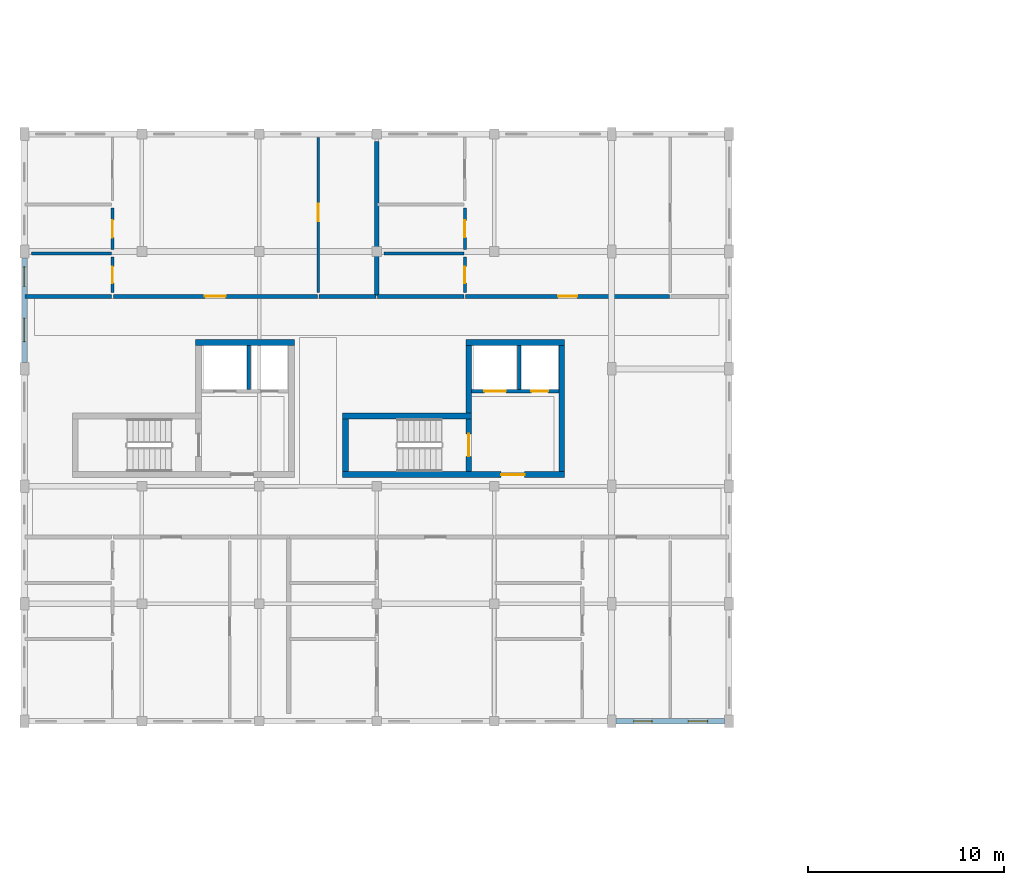
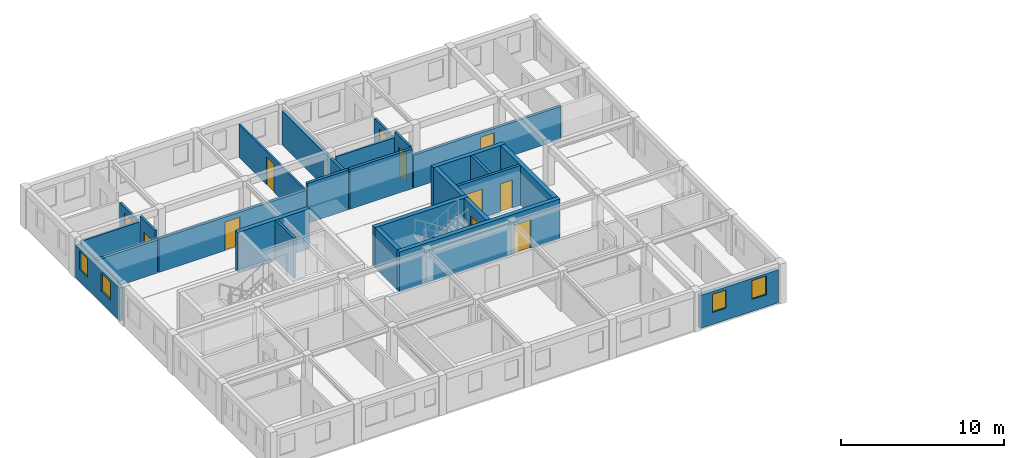
# One storey, part 5 of 17: 26 walls, 11 doors, 4 windows, 15 openings.
"""IFC4 building model written with IfcOpenShell, lengths in metres."""

from ifc_helpers import new_model, si_unit, direction, frame, frame_2d, origin, place, context, subcontext, project, spatial, rectangle, extrude, material, layer, layer_set, type_object, element, fill, save


model = new_model("IFC4")

# Units and contexts
model_context = context("Model", 3, precision=1e-05, world=origin(), true_north=direction((0.0, 1.0)))
body_context = subcontext(model_context, "Body", "Model", "MODEL_VIEW")
ifc_project = project(units=[si_unit("LENGTHUNIT", "METRE"), si_unit("AREAUNIT", "SQUARE_METRE"), si_unit("VOLUMEUNIT", "CUBIC_METRE"), si_unit("PLANEANGLEUNIT", "RADIAN"), si_unit("MASSUNIT", "GRAM", prefix="KILO"), si_unit("POWERUNIT", "WATT"), si_unit("THERMODYNAMICTEMPERATUREUNIT", "KELVIN")], contexts=[model_context])

# Site, building, storey
site_placement = place(None, origin())
site = spatial("IfcSite", under=ifc_project, at=site_placement, CompositionType="ELEMENT")
building_placement = place(site_placement, origin())
building = spatial("IfcBuilding", under=site, at=building_placement, Name="Ruvembo Vaulted Housing Court", CompositionType="ELEMENT")
storey_placement = place(building_placement, frame((0.0, 0.0, 30.10009765625)))
storey = spatial("IfcBuildingStorey", under=building, at=storey_placement, Name="L09", CompositionType="ELEMENT", Elevation=30.10009765625)

# Wall
ifc_material_1 = material(Name="Concrete C35/45", Category="concrete")
ifc_layer_1 = layer(ifc_material_1, 0.300048828125, Name="Concrete C35/45")
ifc_layer_set_1 = layer_set([ifc_layer_1], Name="Concrete C35/45")
wall_type_1 = type_object("IfcWallType", Name="WL-CORE-300", PredefinedType="SHEAR", material=ifc_layer_set_1)
wall_1_placement = place(storey_placement, frame((13.800048828125, 25.35009765625, 0.0), z_axis=(0.0, 0.0, 1.0), x_axis=(-1.0, 0.0, 0.0)))
element("IfcWall", 1, at=wall_1_placement, inside=storey, type_object=wall_type_1, Name="Core A1 L09 North Shear Wall", PredefinedType="SHEAR", context=body_context, shape_type="SweptSolid", body=[
    extrude(rectangle(XDim=5.050048828125, YDim=0.300048828125, at=frame_2d((2.52490234375, 0.0))), origin(), (0.0, 0.0, 1.0), 2.98486328125),
])

# Wall, opening, door
wall_2_placement = place(storey_placement, frame((16.25, 18.60009765625, 0.0), z_axis=(0.0, 0.0, 1.0), x_axis=(1.0, 0.0, 0.0)))
wall_2 = element("IfcWall", 2, at=wall_2_placement, inside=storey, type_object=wall_type_1, Name="Core A2 L09 South Shear Wall", PredefinedType="SHEAR", context=body_context, shape_type="SweptSolid", body=[
    extrude(rectangle(XDim=11.35009765625, YDim=0.300048828125, at=frame_2d((5.675048828125, 0.0))), origin(), (0.0, 0.0, 1.0), 2.98486328125),
])
opening_1_placement = place(wall_2_placement, frame((8.10009765625, 0.0, 0.0)))
opening_1 = element("IfcOpeningElement", 3, at=opening_1_placement, cuts=wall_2, Name="Opening LD3", PredefinedType="OPENING", context=body_context, shape_type="SweptSolid", body=[
    extrude(rectangle(XDim=1.199951171875, YDim=2.14990234375, at=frame_2d((0.60009765625, 1.074951171875))), frame((0.0, 0.159912109375, 0.0), z_axis=(0.0, -1.0, 0.0), x_axis=(1.0, 0.0, 0.0)), (0.0, 0.0, 1.0), 0.320068359375),
])
ifc_material_2 = material(Name="Galvanised Painted Steel", Category="steel")
door_type_1 = type_object("IfcDoorType", Name="DR-LOB-1200x2150", OperationType="NOTDEFINED", PredefinedType="DOOR", material=ifc_material_2)
door_1_placement = place(opening_1_placement, origin())
door_1 = element("IfcDoor", 4, at=door_1_placement, inside=storey, type_object=door_type_1, Name="Core A2 L09 Lobby Fire Door", OperationType="SINGLE_SWING_LEFT", OverallHeight=2.14990234375, OverallWidth=1.199951171875, PredefinedType="DOOR", context=body_context, shape_type="SweptSolid", body=[
    extrude(rectangle(XDim=1.199951171875, YDim=2.14990234375, at=frame_2d((0.60009765625, 1.074951171875))), frame((0.0, 0.02490234375, 0.0), z_axis=(0.0, -1.0, 0.0), x_axis=(1.0, 0.0, 0.0)), (0.0, 0.0, 1.0), 0.050048828125),
])
fill(opening_1, door_1)

# Walls
wall_3_placement = place(storey_placement, frame((22.85009765625, 21.60009765625, 0.0), z_axis=(0.0, 0.0, 1.0), x_axis=(-1.0, 0.0, 0.0)))
element("IfcWall", 5, at=wall_3_placement, inside=storey, type_object=wall_type_1, Name="Core A2 L09 Stair North Shear Wall", PredefinedType="SHEAR", context=body_context, shape_type="SweptSolid", body=[
    extrude(rectangle(XDim=6.60009765625, YDim=0.300048828125, at=frame_2d((3.300048828125, 0.0))), origin(), (0.0, 0.0, 1.0), 2.98486328125),
])
wall_4_placement = place(storey_placement, frame((16.39990234375, 21.449951171875, 0.0), z_axis=(0.0, 0.0, 1.0), x_axis=(0.0, -1.0, 0.0)))
element("IfcWall", 6, at=wall_4_placement, inside=storey, type_object=wall_type_1, Name="Core A2 L09 Stair West Shear Wall", PredefinedType="SHEAR", context=body_context, shape_type="SweptSolid", body=[
    extrude(rectangle(XDim=2.699951171875, YDim=0.300048828125, at=frame_2d((1.35009765625, 0.0))), origin(), (0.0, 0.0, 1.0), 2.98486328125),
])

# Wall, opening, door
wall_5_placement = place(storey_placement, frame((22.699951171875, 18.75, 0.0), z_axis=(0.0, 0.0, 1.0), x_axis=(0.0, 1.0, 0.0)))
wall_5 = element("IfcWall", 7, at=wall_5_placement, inside=storey, type_object=wall_type_1, Name="Core A2 L09 Stair-Lobby Shear Wall", PredefinedType="SHEAR", context=body_context, shape_type="SweptSolid", body=[
    extrude(rectangle(XDim=2.699951171875, YDim=0.300048828125, at=frame_2d((1.35009765625, 0.0))), origin(), (0.0, 0.0, 1.0), 2.98486328125),
])
opening_2_placement = place(wall_5_placement, frame((0.77490234375, 0.0, 0.0)))
opening_2 = element("IfcOpeningElement", 8, at=opening_2_placement, cuts=wall_5, Name="Opening SD1", PredefinedType="OPENING", context=body_context, shape_type="SweptSolid", body=[
    extrude(rectangle(XDim=1.14990234375, YDim=2.14990234375, at=frame_2d((0.574951171875, 1.074951171875))), frame((0.0, 0.159912109375, 0.0), z_axis=(0.0, -1.0, 0.0), x_axis=(1.0, 0.0, 0.0)), (0.0, 0.0, 1.0), 0.320068359375),
])
door_type_2 = type_object("IfcDoorType", Name="DR-STAIR-1150x2150", OperationType="NOTDEFINED", PredefinedType="DOOR", material=ifc_material_2)
door_2_placement = place(opening_2_placement, origin())
door_2 = element("IfcDoor", 9, at=door_2_placement, inside=storey, type_object=door_type_2, Name="Stair ST-A2 L09 Fire Door", OperationType="SINGLE_SWING_RIGHT", OverallHeight=2.14990234375, OverallWidth=1.14990234375, PredefinedType="DOOR", context=body_context, shape_type="SweptSolid", body=[
    extrude(rectangle(XDim=1.14990234375, YDim=2.14990234375, at=frame_2d((0.574951171875, 1.074951171875))), frame((0.0, 0.02490234375, 0.0), z_axis=(0.0, -1.0, 0.0), x_axis=(1.0, 0.0, 0.0)), (0.0, 0.0, 1.0), 0.050048828125),
])
fill(opening_2, door_2)

# Walls
wall_6_placement = place(storey_placement, frame((27.60009765625, 25.35009765625, 0.0), z_axis=(0.0, 0.0, 1.0), x_axis=(-1.0, 0.0, 0.0)))
element("IfcWall", 10, at=wall_6_placement, inside=storey, type_object=wall_type_1, Name="Core A2 L09 North Shear Wall", PredefinedType="SHEAR", context=body_context, shape_type="SweptSolid", body=[
    extrude(rectangle(XDim=5.050048828125, YDim=0.300048828125, at=frame_2d((2.52490234375, 0.0))), origin(), (0.0, 0.0, 1.0), 2.98486328125),
])
wall_7_placement = place(storey_placement, frame((27.449951171875, 18.75, 0.0), z_axis=(0.0, 0.0, 1.0), x_axis=(0.0, 1.0, 0.0)))
element("IfcWall", 11, at=wall_7_placement, inside=storey, type_object=wall_type_1, Name="Core A2 L09 East Shear Wall", PredefinedType="SHEAR", context=body_context, shape_type="SweptSolid", body=[
    extrude(rectangle(XDim=6.449951171875, YDim=0.300048828125, at=frame_2d((3.22509765625, 0.0))), origin(), (0.0, 0.0, 1.0), 2.98486328125),
])
wall_8_placement = place(storey_placement, frame((22.699951171875, 21.75, 0.0), z_axis=(0.0, 0.0, 1.0), x_axis=(0.0, 1.0, 0.0)))
element("IfcWall", 12, at=wall_8_placement, inside=storey, type_object=wall_type_1, Name="Core A2 L09 Upper West Shear Wall", PredefinedType="SHEAR", context=body_context, shape_type="SweptSolid", body=[
    extrude(rectangle(XDim=3.449951171875, YDim=0.300048828125, at=frame_2d((1.72509765625, 0.0))), origin(), (0.0, 0.0, 1.0), 2.98486328125),
])
ifc_material_3 = material(Name="Concrete Blockwork 200", Category="masonry")
ifc_layer_2 = layer(ifc_material_3, 0.199951171875, Name="Concrete Blockwork 200")
ifc_layer_set_2 = layer_set([ifc_layer_2], Name="Concrete Blockwork 200")
wall_type_2 = type_object("IfcWallType", Name="WL-CORR-200", PredefinedType="SOLIDWALL", material=ifc_layer_set_2)
wall_9_placement = place(storey_placement, frame((0.0400390625, 27.699951171875, 0.0), z_axis=(0.0, 0.0, 1.0), x_axis=(1.0, 0.0, 0.0)))
element("IfcWall", 13, at=wall_9_placement, inside=storey, type_object=wall_type_2, Name="L09 Flat A-L09-N1 Corridor Wall WL-INT-L09-02160", PredefinedType="SOLIDWALL", context=body_context, shape_type="SweptSolid", body=[
    extrude(rectangle(XDim=4.419921875, YDim=0.199951171875, at=frame_2d((2.2099609375, 0.0))), origin(), (0.0, 0.0, 1.0), 2.466796875),
])

# Wall, opening, door
wall_10_placement = place(storey_placement, frame((4.5400390625, 27.699951171875, 0.0), z_axis=(0.0, 0.0, 1.0), x_axis=(1.0, 0.0, 0.0)))
wall_10 = element("IfcWall", 14, at=wall_10_placement, inside=storey, type_object=wall_type_2, Name="L09 Flat A-L09-N1 Entrance WL-INT-L09-02161", PredefinedType="SOLIDWALL", context=body_context, shape_type="SweptSolid", body=[
    extrude(rectangle(XDim=10.419921875, YDim=0.199951171875, at=frame_2d((5.2099609375, 0.0))), origin(), (0.0, 0.0, 1.0), 2.5078125),
])
opening_3_placement = place(wall_10_placement, frame((4.68505859375, 0.0, 0.0)))
opening_3 = element("IfcOpeningElement", 15, at=opening_3_placement, cuts=wall_10, Name="Opening FD3", PredefinedType="OPENING", context=body_context, shape_type="SweptSolid", body=[
    extrude(rectangle(XDim=1.050048828125, YDim=2.14990234375, at=frame_2d((0.52490234375, 1.074951171875))), frame((0.0, 0.10986328125, 0.0), z_axis=(0.0, -1.0, 0.0), x_axis=(1.0, 0.0, 0.0)), (0.0, 0.0, 1.0), 0.219970703125),
])
ifc_material_4 = material(Name="FSC Hardwood and Engineered Timber", Category="wood")
door_type_3 = type_object("IfcDoorType", Name="DR-FLAT-1050x2150", OperationType="NOTDEFINED", PredefinedType="DOOR", material=ifc_material_4)
door_3_placement = place(opening_3_placement, origin())
door_3 = element("IfcDoor", 16, at=door_3_placement, inside=storey, type_object=door_type_3, Name="L09 Flat A-L09-N1 Entrance Door DR-INT-L09-01202", OperationType="SINGLE_SWING_RIGHT", OverallHeight=2.14990234375, OverallWidth=1.050048828125, PredefinedType="DOOR", context=body_context, shape_type="SweptSolid", body=[
    extrude(rectangle(XDim=1.050048828125, YDim=2.14990234375, at=frame_2d((0.52490234375, 1.074951171875))), frame((0.0, 0.02490234375, 0.0), z_axis=(0.0, -1.0, 0.0), x_axis=(1.0, 0.0, 0.0)), (0.0, 0.0, 1.0), 0.050048828125),
])
fill(opening_3, door_3)

# Walls
wall_11_placement = place(storey_placement, frame((15.0400390625, 27.699951171875, 0.0), z_axis=(0.0, 0.0, 1.0), x_axis=(1.0, 0.0, 0.0)))
element("IfcWall", 17, at=wall_11_placement, inside=storey, type_object=wall_type_2, Name="L09 Flat A-L09-N1 Corridor Wall 2 WL-INT-L09-02167", PredefinedType="SOLIDWALL", context=body_context, shape_type="SweptSolid", body=[
    extrude(rectangle(XDim=2.919921875, YDim=0.199951171875, at=frame_2d((1.4599609375, 0.0))), origin(), (0.0, 0.0, 1.0), 2.98486328125),
])
wall_12_placement = place(storey_placement, frame((18.0400390625, 27.699951171875, 0.0), z_axis=(0.0, 0.0, 1.0), x_axis=(1.0, 0.0, 0.0)))
element("IfcWall", 18, at=wall_12_placement, inside=storey, type_object=wall_type_2, Name="L09 Flat A-L09-N2 Corridor Wall WL-INT-L09-02169", PredefinedType="SOLIDWALL", context=body_context, shape_type="SweptSolid", body=[
    extrude(rectangle(XDim=4.419921875, YDim=0.199951171875, at=frame_2d((2.2099609375, 0.0))), origin(), (0.0, 0.0, 1.0), 2.98486328125),
])

# Wall, opening, door
wall_13_placement = place(storey_placement, frame((22.5400390625, 27.699951171875, 0.0), z_axis=(0.0, 0.0, 1.0), x_axis=(1.0, 0.0, 0.0)))
wall_13 = element("IfcWall", 19, at=wall_13_placement, inside=storey, type_object=wall_type_2, Name="L09 Flat A-L09-N2 Entrance WL-INT-L09-02170", PredefinedType="SOLIDWALL", context=body_context, shape_type="SweptSolid", body=[
    extrude(rectangle(XDim=10.419921875, YDim=0.199951171875, at=frame_2d((5.2099609375, 0.0))), origin(), (0.0, 0.0, 1.0), 2.466796875),
])
opening_4_placement = place(wall_13_placement, frame((4.719970703125, 0.0, 0.0)))
opening_4 = element("IfcOpeningElement", 20, at=opening_4_placement, cuts=wall_13, Name="Opening FD2", PredefinedType="OPENING", context=body_context, shape_type="SweptSolid", body=[
    extrude(rectangle(XDim=0.97998046875, YDim=2.14990234375, at=frame_2d((0.489990234375, 1.074951171875))), frame((0.0, 0.10986328125, 0.0), z_axis=(0.0, -1.0, 0.0), x_axis=(1.0, 0.0, 0.0)), (0.0, 0.0, 1.0), 0.219970703125),
])
door_type_4 = type_object("IfcDoorType", Name="DR-FLAT-0980x2150", OperationType="NOTDEFINED", PredefinedType="DOOR", material=ifc_material_4)
door_4_placement = place(opening_4_placement, origin())
door_4 = element("IfcDoor", 21, at=door_4_placement, inside=storey, type_object=door_type_4, Name="L09 Flat A-L09-N2 Entrance Door DR-INT-L09-01207", OperationType="SINGLE_SWING_LEFT", OverallHeight=2.14990234375, OverallWidth=0.97998046875, PredefinedType="DOOR", context=body_context, shape_type="SweptSolid", body=[
    extrude(rectangle(XDim=0.97998046875, YDim=2.14990234375, at=frame_2d((0.489990234375, 1.074951171875))), frame((0.0, 0.02490234375, 0.0), z_axis=(0.0, -1.0, 0.0), x_axis=(1.0, 0.0, 0.0)), (0.0, 0.0, 1.0), 0.050048828125),
])
fill(opening_4, door_4)

# Wall
ifc_material_5 = material(Name="Acoustic Masonry Demising 230", Category="masonry")
ifc_layer_3 = layer(ifc_material_5, 0.22998046875, Name="Acoustic Masonry Demising 230")
ifc_layer_set_3 = layer_set([ifc_layer_3], Name="Acoustic Masonry Demising 230")
wall_type_3 = type_object("IfcWallType", Name="WL-DEM-230", PredefinedType="SOLIDWALL", material=ifc_layer_set_3)
wall_14_placement = place(storey_placement, frame((18.0, 27.739990234375, 0.0), z_axis=(0.0, 0.0, 1.0), x_axis=(0.0, 1.0, 0.0)))
element("IfcWall", 22, at=wall_14_placement, inside=storey, type_object=wall_type_3, Name="L09 Demising A-L09-N1 WL-INT-L09-02159", PredefinedType="SOLIDWALL", context=body_context, shape_type="SweptSolid", body=[
    extrude(rectangle(XDim=7.8701171875, YDim=0.22998046875, at=frame_2d((3.93505859375, 0.0))), origin(), (0.0, 0.0, 1.0), 2.5478515625),
])

# Wall, openings, windows
ifc_material_6 = material(Name="Rendered Masonry 260", Category="masonry")
ifc_layer_4 = layer(ifc_material_6, 0.260009765625, Name="Rendered Masonry 260")
ifc_layer_set_4 = layer_set([ifc_layer_4], Name="Rendered Masonry 260")
wall_type_4 = type_object("IfcWallType", Name="WL-EXT-260", PredefinedType="STANDARD", material=ifc_layer_set_4)
wall_15_placement = place(storey_placement, frame((30.22509765625, 6.0, 0.0), z_axis=(0.0, 0.0, 1.0), x_axis=(1.0, 0.0, 0.0)))
wall_15 = element("IfcWall", 23, at=wall_15_placement, inside=storey, type_object=wall_type_4, Name="Block A L09 Exterior Wall STREET #6", PredefinedType="STANDARD", context=body_context, shape_type="SweptSolid", body=[
    extrude(rectangle(XDim=5.5498046875, YDim=0.260009765625, at=frame_2d((2.77490234375, 0.0))), origin(), (0.0, 0.0, 1.0), 2.466796875),
])
opening_5_placement = place(wall_15_placement, frame((0.892578125, 0.0, 0.89990234375)))
opening_5 = element("IfcOpeningElement", 24, at=opening_5_placement, cuts=wall_15, Name="Opening W07", PredefinedType="OPENING", context=body_context, shape_type="SweptSolid", body=[
    extrude(rectangle(XDim=0.949951171875, YDim=1.35009765625, at=frame_2d((0.47509765625, 0.675048828125))), frame((0.0, 0.139892578125, 0.0), z_axis=(0.0, -1.0, 0.0), x_axis=(1.0, 0.0, 0.0)), (0.0, 0.0, 1.0), 0.280029296875),
])
opening_6_placement = place(wall_15_placement, frame((3.6826171875, 0.0, 0.89990234375)))
opening_6 = element("IfcOpeningElement", 25, at=opening_6_placement, cuts=wall_15, Name="Opening W08", PredefinedType="OPENING", context=body_context, shape_type="SweptSolid", body=[
    extrude(rectangle(XDim=1.0, YDim=1.39990234375, at=frame_2d((0.5, 0.699951171875))), frame((0.0, 0.139892578125, 0.0), z_axis=(0.0, -1.0, 0.0), x_axis=(1.0, 0.0, 0.0)), (0.0, 0.0, 1.0), 0.280029296875),
])
ifc_material_7 = material(Name="Double Solar-Control Glazing in Aluminium Frame", Category="aluminium")
window_type_1 = type_object("IfcWindowType", Name="WIN-0950x1350", PartitioningType="SINGLE_PANEL", PredefinedType="WINDOW", material=ifc_material_7)
window_1_placement = place(opening_5_placement, origin())
window_1 = element("IfcWindow", 26, at=window_1_placement, inside=storey, type_object=window_type_1, Name="Block A L09 Window #397", OverallHeight=1.35009765625, OverallWidth=0.949951171875, PartitioningType="SINGLE_PANEL", PredefinedType="WINDOW", context=body_context, shape_type="SweptSolid", body=[
    extrude(rectangle(XDim=0.949951171875, YDim=1.35009765625, at=frame_2d((0.47509765625, 0.675048828125))), frame((0.0, 0.030029296875, 0.0), z_axis=(0.0, -1.0, 0.0), x_axis=(1.0, 0.0, 0.0)), (0.0, 0.0, 1.0), 0.06005859375),
])
fill(opening_5, window_1)
window_type_2 = type_object("IfcWindowType", Name="WIN-1000x1400", PartitioningType="SINGLE_PANEL", PredefinedType="WINDOW", material=ifc_material_7)
window_2_placement = place(opening_6_placement, origin())
window_2 = element("IfcWindow", 27, at=window_2_placement, inside=storey, type_object=window_type_2, Name="Block A L09 Window #398", OverallHeight=1.39990234375, OverallWidth=1.0, PartitioningType="SINGLE_PANEL", PredefinedType="WINDOW", context=body_context, shape_type="SweptSolid", body=[
    extrude(rectangle(XDim=1.0, YDim=1.39990234375, at=frame_2d((0.5, 0.699951171875))), frame((0.0, 0.030029296875, 0.0), z_axis=(0.0, -1.0, 0.0), x_axis=(1.0, 0.0, 0.0)), (0.0, 0.0, 1.0), 0.06005859375),
])
fill(opening_6, window_2)

wall_16_placement = place(storey_placement, frame((0.0, 29.675048828125, 0.0), z_axis=(0.0, 0.0, 1.0), x_axis=(0.0, -1.0, 0.0)))
wall_16 = element("IfcWall", 28, at=wall_16_placement, inside=storey, type_object=wall_type_4, Name="Block A L09 Exterior Wall WEST #2", PredefinedType="STANDARD", context=body_context, shape_type="SweptSolid", body=[
    extrude(rectangle(XDim=5.35009765625, YDim=0.260009765625, at=frame_2d((2.675048828125, 0.0))), origin(), (0.0, 0.0, 1.0), 2.466796875),
])
opening_7_placement = place(wall_16_placement, frame((0.467529296875, 0.0, 0.89990234375)))
opening_7 = element("IfcOpeningElement", 29, at=opening_7_placement, cuts=wall_16, Name="Opening W08", PredefinedType="OPENING", context=body_context, shape_type="SweptSolid", body=[
    extrude(rectangle(XDim=1.0, YDim=1.39990234375, at=frame_2d((0.5, 0.699951171875))), frame((0.0, 0.139892578125, 0.0), z_axis=(0.0, -1.0, 0.0), x_axis=(1.0, 0.0, 0.0)), (0.0, 0.0, 1.0), 0.280029296875),
])
opening_8_placement = place(wall_16_placement, frame((3.08251953125, 0.0, 0.89990234375)))
opening_8 = element("IfcOpeningElement", 30, at=opening_8_placement, cuts=wall_16, Name="Opening W12", PredefinedType="OPENING", context=body_context, shape_type="SweptSolid", body=[
    extrude(rectangle(XDim=1.199951171875, YDim=1.35009765625, at=frame_2d((0.60009765625, 0.675048828125))), frame((0.0, 0.139892578125, 0.0), z_axis=(0.0, -1.0, 0.0), x_axis=(1.0, 0.0, 0.0)), (0.0, 0.0, 1.0), 0.280029296875),
])
window_3_placement = place(opening_7_placement, origin())
window_3 = element("IfcWindow", 31, at=window_3_placement, inside=storey, type_object=window_type_2, Name="Block A L09 Window #423", OverallHeight=1.39990234375, OverallWidth=1.0, PartitioningType="SINGLE_PANEL", PredefinedType="WINDOW", context=body_context, shape_type="SweptSolid", body=[
    extrude(rectangle(XDim=1.0, YDim=1.39990234375, at=frame_2d((0.5, 0.699951171875))), frame((0.0, 0.030029296875, 0.0), z_axis=(0.0, -1.0, 0.0), x_axis=(1.0, 0.0, 0.0)), (0.0, 0.0, 1.0), 0.06005859375),
])
fill(opening_7, window_3)
window_type_3 = type_object("IfcWindowType", Name="WIN-1200x1350", PartitioningType="SINGLE_PANEL", PredefinedType="WINDOW", material=ifc_material_7)
window_4_placement = place(opening_8_placement, origin())
window_4 = element("IfcWindow", 32, at=window_4_placement, inside=storey, type_object=window_type_3, Name="Block A L09 Window #424", OverallHeight=1.35009765625, OverallWidth=1.199951171875, PartitioningType="SINGLE_PANEL", PredefinedType="WINDOW", context=body_context, shape_type="SweptSolid", body=[
    extrude(rectangle(XDim=1.199951171875, YDim=1.35009765625, at=frame_2d((0.60009765625, 0.675048828125))), frame((0.0, 0.030029296875, 0.0), z_axis=(0.0, -1.0, 0.0), x_axis=(1.0, 0.0, 0.0)), (0.0, 0.0, 1.0), 0.06005859375),
])
fill(opening_8, window_4)

# Wall, opening, door
ifc_material_8 = material(Name="Plasterboard Stud Partition 125", Category="gypsum")
ifc_layer_5 = layer(ifc_material_8, 0.125, Name="Plasterboard Stud Partition 125")
ifc_layer_set_5 = layer_set([ifc_layer_5], Name="Plasterboard Stud Partition 125")
wall_type_5 = type_object("IfcWallType", Name="WL-PART-125", PredefinedType="PARTITIONING", material=ifc_layer_set_5)
wall_17_placement = place(storey_placement, frame((15.0, 27.889892578125, 0.0), z_axis=(0.0, 0.0, 1.0), x_axis=(0.0, 1.0, 0.0)))
wall_17 = element("IfcWall", 33, at=wall_17_placement, inside=storey, type_object=wall_type_5, Name="L09 Flat A-L09-N1 Bedroom 2 WL-INT-L09-02168", PredefinedType="PARTITIONING", context=body_context, shape_type="SweptSolid", body=[
    extrude(rectangle(XDim=7.920166015625, YDim=0.125, at=frame_2d((3.9599609375, 0.0))), origin(), (0.0, 0.0, 1.0), 2.466796875),
])
opening_9_placement = place(wall_17_placement, frame((3.64990234375, 0.0, 0.0)))
opening_9 = element("IfcOpeningElement", 34, at=opening_9_placement, cuts=wall_17, Name="Opening ID1", PredefinedType="OPENING", context=body_context, shape_type="SweptSolid", body=[
    extrude(rectangle(XDim=0.89990234375, YDim=2.10009765625, at=frame_2d((0.449951171875, 1.050048828125))), frame((0.0, 0.072509765625, 0.0), z_axis=(0.0, -1.0, 0.0), x_axis=(1.0, 0.0, 0.0)), (0.0, 0.0, 1.0), 0.14501953125),
])
door_type_5 = type_object("IfcDoorType", Name="DR-ROOM-0900x2100", OperationType="NOTDEFINED", PredefinedType="DOOR", material=ifc_material_4)
door_5_placement = place(opening_9_placement, origin())
door_5 = element("IfcDoor", 35, at=door_5_placement, inside=storey, type_object=door_type_5, Name="L09 Flat A-L09-N1 Bedroom 2 Door DR-INT-L09-01206", OperationType="SINGLE_SWING_RIGHT", OverallHeight=2.10009765625, OverallWidth=0.89990234375, PredefinedType="DOOR", context=body_context, shape_type="SweptSolid", body=[
    extrude(rectangle(XDim=0.89990234375, YDim=2.10009765625, at=frame_2d((0.449951171875, 1.050048828125))), frame((0.0, 0.02490234375, 0.0), z_axis=(0.0, -1.0, 0.0), x_axis=(1.0, 0.0, 0.0)), (0.0, 0.0, 1.0), 0.050048828125),
])
fill(opening_9, door_5)

ifc_material_9 = material(Name="Moisture-Resistant Wet Partition 150", Category="gypsum")
ifc_layer_6 = layer(ifc_material_9, 0.14990234375, Name="Moisture-Resistant Wet Partition 150")
ifc_layer_set_6 = layer_set([ifc_layer_6], Name="Moisture-Resistant Wet Partition 150")
wall_type_6 = type_object("IfcWallType", Name="WL-PART-150", PredefinedType="PARTITIONING", material=ifc_layer_set_6)
wall_18_placement = place(storey_placement, frame((4.5, 27.889892578125, 0.0), z_axis=(0.0, 0.0, 1.0), x_axis=(0.0, 1.0, 0.0)))
wall_18 = element("IfcWall", 36, at=wall_18_placement, inside=storey, type_object=wall_type_6, Name="L09 Flat A-L09-N1 Bathroom WL-INT-L09-02164", PredefinedType="PARTITIONING", context=body_context, shape_type="SweptSolid", body=[
    extrude(rectangle(XDim=1.820068359375, YDim=0.14990234375, at=frame_2d((0.91015625, 0.0))), origin(), (0.0, 0.0, 1.0), 2.98486328125),
])
opening_10_placement = place(wall_18_placement, frame((0.485107421875, 0.0, 0.0)))
opening_10 = element("IfcOpeningElement", 37, at=opening_10_placement, cuts=wall_18, Name="Opening ID2", PredefinedType="OPENING", context=body_context, shape_type="SweptSolid", body=[
    extrude(rectangle(XDim=0.85009765625, YDim=2.10009765625, at=frame_2d((0.425048828125, 1.050048828125))), frame((0.0, 0.0849609375, 0.0), z_axis=(0.0, -1.0, 0.0), x_axis=(1.0, 0.0, 0.0)), (0.0, 0.0, 1.0), 0.169921875),
])
door_type_6 = type_object("IfcDoorType", Name="DR-WET-0850x2100", OperationType="NOTDEFINED", PredefinedType="DOOR", material=ifc_material_4)
door_6_placement = place(opening_10_placement, origin())
door_6 = element("IfcDoor", 38, at=door_6_placement, inside=storey, type_object=door_type_6, Name="L09 Flat A-L09-N1 Bathroom Door DR-INT-L09-01205", OperationType="SINGLE_SWING_LEFT", OverallHeight=2.10009765625, OverallWidth=0.85009765625, PredefinedType="DOOR", context=body_context, shape_type="SweptSolid", body=[
    extrude(rectangle(XDim=0.85009765625, YDim=2.10009765625, at=frame_2d((0.425048828125, 1.050048828125))), frame((0.0, 0.02490234375, 0.0), z_axis=(0.0, -1.0, 0.0), x_axis=(1.0, 0.0, 0.0)), (0.0, 0.0, 1.0), 0.050048828125),
])
fill(opening_10, door_6)

# Wall
wall_19_placement = place(storey_placement, frame((0.360107421875, 29.89990234375, 0.0), z_axis=(0.0, 0.0, 1.0), x_axis=(1.0, 0.0, 0.0)))
element("IfcWall", 39, at=wall_19_placement, inside=storey, type_object=wall_type_6, Name="L09 Flat A-L09-N1 Wet Wall 2 WL-INT-L09-02166", PredefinedType="PARTITIONING", context=body_context, shape_type="SweptSolid", body=[
    extrude(rectangle(XDim=4.099853515625, YDim=0.14990234375, at=frame_2d((2.0498046875, 0.0))), origin(), (0.0, 0.0, 1.0), 2.466796875),
])

# Wall, opening, door
wall_20_placement = place(storey_placement, frame((22.5, 27.889892578125, 0.0), z_axis=(0.0, 0.0, 1.0), x_axis=(0.0, 1.0, 0.0)))
wall_20 = element("IfcWall", 40, at=wall_20_placement, inside=storey, type_object=wall_type_6, Name="L09 Flat A-L09-N2 Bathroom WL-INT-L09-02173", PredefinedType="PARTITIONING", context=body_context, shape_type="SweptSolid", body=[
    extrude(rectangle(XDim=1.820068359375, YDim=0.14990234375, at=frame_2d((0.91015625, 0.0))), origin(), (0.0, 0.0, 1.0), 2.98486328125),
])
opening_11_placement = place(wall_20_placement, frame((0.485107421875, 0.0, 0.0)))
opening_11 = element("IfcOpeningElement", 41, at=opening_11_placement, cuts=wall_20, Name="Opening ID2", PredefinedType="OPENING", context=body_context, shape_type="SweptSolid", body=[
    extrude(rectangle(XDim=0.85009765625, YDim=2.10009765625, at=frame_2d((0.425048828125, 1.050048828125))), frame((0.0, 0.0849609375, 0.0), z_axis=(0.0, -1.0, 0.0), x_axis=(1.0, 0.0, 0.0)), (0.0, 0.0, 1.0), 0.169921875),
])
door_7_placement = place(opening_11_placement, origin())
door_7 = element("IfcDoor", 42, at=door_7_placement, inside=storey, type_object=door_type_6, Name="L09 Flat A-L09-N2 Bathroom Door DR-INT-L09-01210", OperationType="SINGLE_SWING_RIGHT", OverallHeight=2.10009765625, OverallWidth=0.85009765625, PredefinedType="DOOR", context=body_context, shape_type="SweptSolid", body=[
    extrude(rectangle(XDim=0.85009765625, YDim=2.10009765625, at=frame_2d((0.425048828125, 1.050048828125))), frame((0.0, 0.02490234375, 0.0), z_axis=(0.0, -1.0, 0.0), x_axis=(1.0, 0.0, 0.0)), (0.0, 0.0, 1.0), 0.050048828125),
])
fill(opening_11, door_7)

# Wall
wall_21_placement = place(storey_placement, frame((18.360107421875, 29.89990234375, 0.0), z_axis=(0.0, 0.0, 1.0), x_axis=(1.0, 0.0, 0.0)))
element("IfcWall", 43, at=wall_21_placement, inside=storey, type_object=wall_type_6, Name="L09 Flat A-L09-N2 Wet Wall 2 WL-INT-L09-02175", PredefinedType="PARTITIONING", context=body_context, shape_type="SweptSolid", body=[
    extrude(rectangle(XDim=4.099853515625, YDim=0.14990234375, at=frame_2d((2.0498046875, 0.0))), origin(), (0.0, 0.0, 1.0), 2.466796875),
])

# Wall, opening, door
ifc_material_10 = material(Name="Acoustic Service Chase Wall 160", Category="gypsum")
ifc_layer_7 = layer(ifc_material_10, 0.159912109375, Name="Acoustic Service Chase Wall 160")
ifc_layer_set_7 = layer_set([ifc_layer_7], Name="Acoustic Service Chase Wall 160")
wall_type_7 = type_object("IfcWallType", Name="WL-PLUMB-160", PredefinedType="PLUMBINGWALL", material=ifc_layer_set_7)
wall_22_placement = place(storey_placement, frame((4.5, 30.090087890625, 0.0), z_axis=(0.0, 0.0, 1.0), x_axis=(0.0, 1.0, 0.0)))
wall_22 = element("IfcWall", 44, at=wall_22_placement, inside=storey, type_object=wall_type_7, Name="L09 Flat A-L09-N1 Kitchen WL-INT-L09-02163", PredefinedType="PLUMBINGWALL", context=body_context, shape_type="SweptSolid", body=[
    extrude(rectangle(XDim=2.119873046875, YDim=0.159912109375, at=frame_2d((1.06005859375, 0.0))), origin(), (0.0, 0.0, 1.0), 2.466796875),
])
opening_12_placement = place(wall_22_placement, frame((0.610107421875, 0.0, 0.0)))
opening_12 = element("IfcOpeningElement", 45, at=opening_12_placement, cuts=wall_22, Name="Opening ID1", PredefinedType="OPENING", context=body_context, shape_type="SweptSolid", body=[
    extrude(rectangle(XDim=0.89990234375, YDim=2.10009765625, at=frame_2d((0.449951171875, 1.050048828125))), frame((0.0, 0.08984375, 0.0), z_axis=(0.0, -1.0, 0.0), x_axis=(1.0, 0.0, 0.0)), (0.0, 0.0, 1.0), 0.179931640625),
])
door_8_placement = place(opening_12_placement, origin())
door_8 = element("IfcDoor", 46, at=door_8_placement, inside=storey, type_object=door_type_5, Name="L09 Flat A-L09-N1 Kitchen Door DR-INT-L09-01204", OperationType="SINGLE_SWING_RIGHT", OverallHeight=2.10009765625, OverallWidth=0.89990234375, PredefinedType="DOOR", context=body_context, shape_type="SweptSolid", body=[
    extrude(rectangle(XDim=0.89990234375, YDim=2.10009765625, at=frame_2d((0.449951171875, 1.050048828125))), frame((0.0, 0.02490234375, 0.0), z_axis=(0.0, -1.0, 0.0), x_axis=(1.0, 0.0, 0.0)), (0.0, 0.0, 1.0), 0.050048828125),
])
fill(opening_12, door_8)

wall_23_placement = place(storey_placement, frame((22.5, 30.090087890625, 0.0), z_axis=(0.0, 0.0, 1.0), x_axis=(0.0, 1.0, 0.0)))
wall_23 = element("IfcWall", 47, at=wall_23_placement, inside=storey, type_object=wall_type_7, Name="L09 Flat A-L09-N2 Kitchen WL-INT-L09-02172", PredefinedType="PLUMBINGWALL", context=body_context, shape_type="SweptSolid", body=[
    extrude(rectangle(XDim=2.119873046875, YDim=0.159912109375, at=frame_2d((1.06005859375, 0.0))), origin(), (0.0, 0.0, 1.0), 2.466796875),
])
opening_13_placement = place(wall_23_placement, frame((0.6201171875, 0.0, 0.0)))
opening_13 = element("IfcOpeningElement", 48, at=opening_13_placement, cuts=wall_23, Name="Opening ID3", PredefinedType="OPENING", context=body_context, shape_type="SweptSolid", body=[
    extrude(rectangle(XDim=0.8798828125, YDim=2.10009765625, at=frame_2d((0.43994140625, 1.050048828125))), frame((0.0, 0.08984375, 0.0), z_axis=(0.0, -1.0, 0.0), x_axis=(1.0, 0.0, 0.0)), (0.0, 0.0, 1.0), 0.179931640625),
])
door_type_7 = type_object("IfcDoorType", Name="DR-ROOM-0880x2100", OperationType="NOTDEFINED", PredefinedType="DOOR", material=ifc_material_4)
door_9_placement = place(opening_13_placement, origin())
door_9 = element("IfcDoor", 49, at=door_9_placement, inside=storey, type_object=door_type_7, Name="L09 Flat A-L09-N2 Kitchen Door DR-INT-L09-01209", OperationType="SINGLE_SWING_LEFT", OverallHeight=2.10009765625, OverallWidth=0.8798828125, PredefinedType="DOOR", context=body_context, shape_type="SweptSolid", body=[
    extrude(rectangle(XDim=0.8798828125, YDim=2.10009765625, at=frame_2d((0.43994140625, 1.050048828125))), frame((0.0, 0.02490234375, 0.0), z_axis=(0.0, -1.0, 0.0), x_axis=(1.0, 0.0, 0.0)), (0.0, 0.0, 1.0), 0.050048828125),
])
fill(opening_13, door_9)

# Wall
ifc_material_11 = material(Name="Fire-Rated Masonry Shaft 180", Category="masonry")
ifc_layer_8 = layer(ifc_material_11, 0.179931640625, Name="Fire-Rated Masonry Shaft 180")
ifc_layer_set_8 = layer_set([ifc_layer_8], Name="Fire-Rated Masonry Shaft 180")
wall_type_8 = type_object("IfcWallType", Name="WL-SHAFT-180", PredefinedType="SOLIDWALL", material=ifc_layer_set_8)
wall_24_placement = place(storey_placement, frame((11.469970703125, 22.93994140625, 0.0), z_axis=(0.0, 0.0, 1.0), x_axis=(0.0, 1.0, 0.0)))
element("IfcWall", 50, at=wall_24_placement, inside=storey, type_object=wall_type_8, Name="Core A1 L09 Shaft-Riser Divider Wall", PredefinedType="SOLIDWALL", context=body_context, shape_type="SweptSolid", body=[
    extrude(rectangle(XDim=2.260009765625, YDim=0.179931640625, at=frame_2d((1.1298828125, 0.0))), origin(), (0.0, 0.0, 1.0), 2.98486328125),
])

# Wall, openings, doors
wall_25_placement = place(storey_placement, frame((22.85009765625, 22.85009765625, 0.0), z_axis=(0.0, 0.0, 1.0), x_axis=(1.0, 0.0, 0.0)))
wall_25 = element("IfcWall", 51, at=wall_25_placement, inside=storey, type_object=wall_type_8, Name="Core A2 L09 Lift and Riser Front Wall", PredefinedType="SOLIDWALL", context=body_context, shape_type="SweptSolid", body=[
    extrude(rectangle(XDim=4.449951171875, YDim=0.179931640625, at=frame_2d((2.22509765625, 0.0))), origin(), (0.0, 0.0, 1.0), 2.98486328125),
])
opening_14_placement = place(wall_25_placement, frame((0.64990234375, 0.0, 0.0)))
opening_14 = element("IfcOpeningElement", 52, at=opening_14_placement, cuts=wall_25, Name="Opening LD-FL-A2-L09", PredefinedType="OPENING", context=body_context, shape_type="SweptSolid", body=[
    extrude(rectangle(XDim=1.10009765625, YDim=2.14990234375, at=frame_2d((0.550048828125, 1.074951171875))), frame((0.0, 0.099853515625, 0.0), z_axis=(0.0, -1.0, 0.0), x_axis=(1.0, 0.0, 0.0)), (0.0, 0.0, 1.0), 0.199951171875),
])
opening_15_placement = place(wall_25_placement, frame((3.050048828125, 0.0, 0.0)))
opening_15 = element("IfcOpeningElement", 53, at=opening_15_placement, cuts=wall_25, Name="Opening RD1", PredefinedType="OPENING", context=body_context, shape_type="SweptSolid", body=[
    extrude(rectangle(XDim=0.85009765625, YDim=2.10009765625, at=frame_2d((0.425048828125, 1.050048828125))), frame((0.0, 0.099853515625, 0.0), z_axis=(0.0, -1.0, 0.0), x_axis=(1.0, 0.0, 0.0)), (0.0, 0.0, 1.0), 0.199951171875),
])
ifc_material_12 = material(Name="Brushed Stainless Steel 304", Category="steel")
door_type_8 = type_object("IfcDoorType", Name="DR-LIFT-1100x2150", OperationType="NOTDEFINED", PredefinedType="DOOR", material=ifc_material_12)
door_10_placement = place(opening_14_placement, origin())
door_10 = element("IfcDoor", 54, at=door_10_placement, inside=storey, type_object=door_type_8, Name="Lift FL-A2 L09 Sliding Landing Door", OperationType="SLIDING_TO_LEFT", OverallHeight=2.14990234375, OverallWidth=1.10009765625, PredefinedType="DOOR", context=body_context, shape_type="SweptSolid", body=[
    extrude(rectangle(XDim=1.10009765625, YDim=2.14990234375, at=frame_2d((0.550048828125, 1.074951171875))), frame((0.0, 0.02490234375, 0.0), z_axis=(0.0, -1.0, 0.0), x_axis=(1.0, 0.0, 0.0)), (0.0, 0.0, 1.0), 0.050048828125),
])
fill(opening_14, door_10)
door_type_9 = type_object("IfcDoorType", Name="DR-RISER-0850x2100", OperationType="NOTDEFINED", PredefinedType="DOOR", material=ifc_material_2)
door_11_placement = place(opening_15_placement, frame((0.85009765625, 0.0, 0.0), z_axis=(0.0, 0.0, 1.0), x_axis=(-1.0, 0.0, 0.0)))
door_11 = element("IfcDoor", 55, at=door_11_placement, inside=storey, type_object=door_type_9, Name="Core A2 L09 Service Riser Door", OperationType="SINGLE_SWING_LEFT", OverallHeight=2.10009765625, OverallWidth=0.85009765625, PredefinedType="DOOR", context=body_context, shape_type="SweptSolid", body=[
    extrude(rectangle(XDim=0.85009765625, YDim=2.10009765625, at=frame_2d((0.425048828125, 1.050048828125))), frame((0.0, 0.02490234375, 0.0), z_axis=(0.0, -1.0, 0.0), x_axis=(1.0, 0.0, 0.0)), (0.0, 0.0, 1.0), 0.050048828125),
])
fill(opening_15, door_11)

# Wall
wall_26_placement = place(storey_placement, frame((25.27001953125, 22.93994140625, 0.0), z_axis=(0.0, 0.0, 1.0), x_axis=(0.0, 1.0, 0.0)))
element("IfcWall", 56, at=wall_26_placement, inside=storey, type_object=wall_type_8, Name="Core A2 L09 Shaft-Riser Divider Wall", PredefinedType="SOLIDWALL", context=body_context, shape_type="SweptSolid", body=[
    extrude(rectangle(XDim=2.260009765625, YDim=0.179931640625, at=frame_2d((1.1298828125, 0.0))), origin(), (0.0, 0.0, 1.0), 2.98486328125),
])

save(model, "model.ifc")
